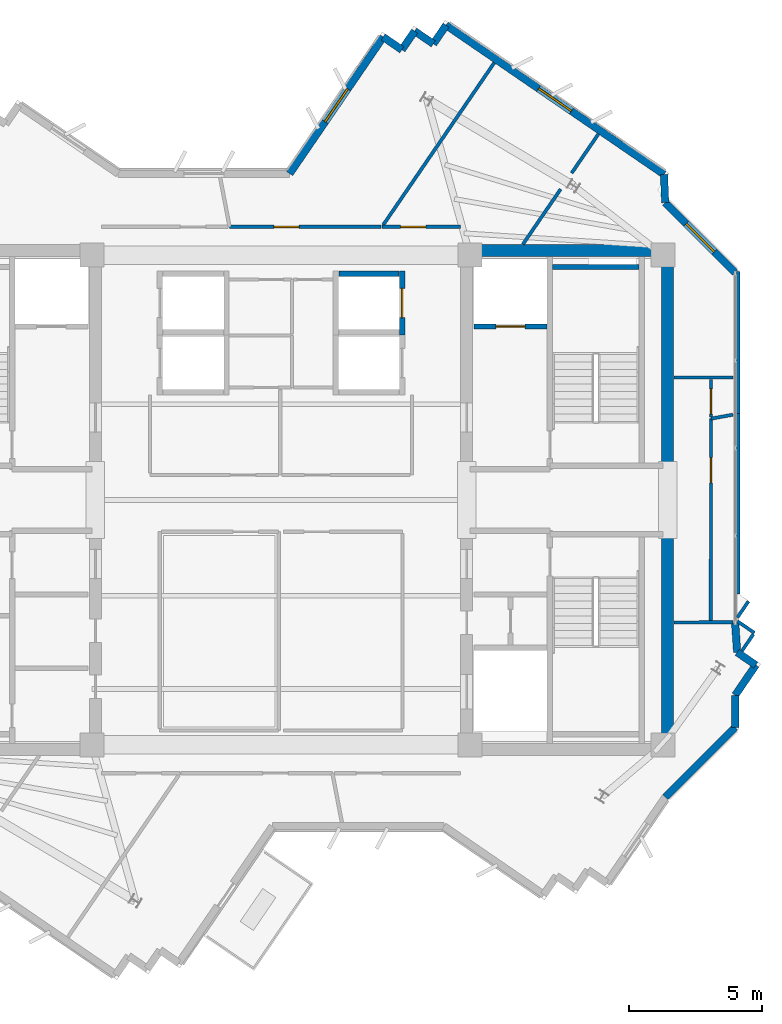
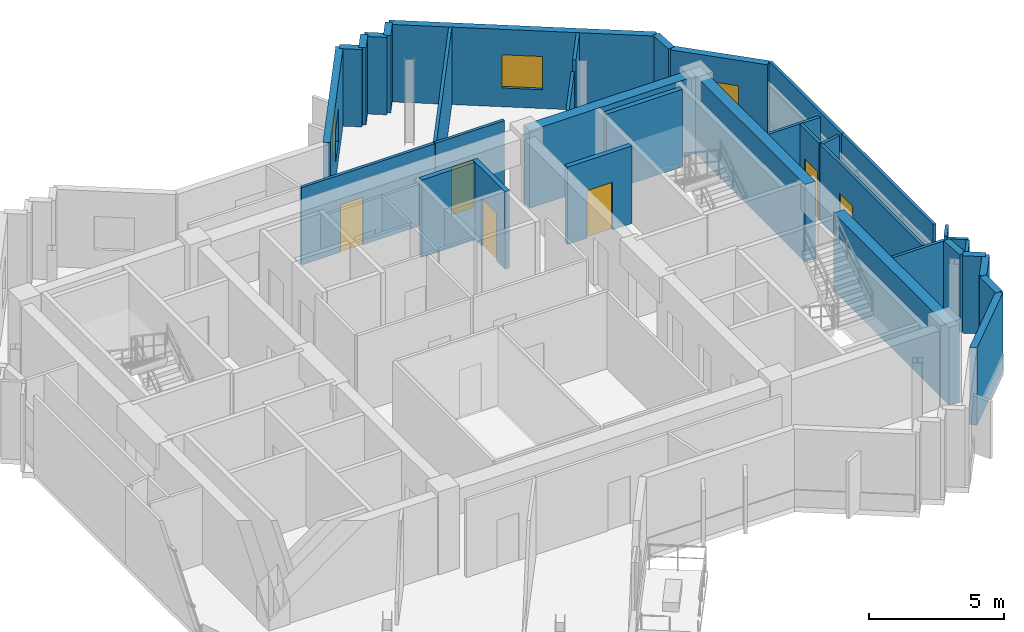
# One storey, part 8 of 11: 35 walls, 6 doors, 3 windows, 9 openings.
"""IFC4 building model written with IfcOpenShell, lengths in metres."""

import ifcopenshell
import ifcopenshell.guid

model = None  # the IFC model being written
_history = None  # IfcOwnerHistory: only IFC2X3 demands one
_inside = {}  # id of a spatial element -> (the spatial element, [elements in it])
_under = {}  # id of a project, library or spatial element -> (it, [spatial elements below it])
_declared = {}  # id of a project -> (the project, [libraries it declares])
_typed = {}  # id of a type object -> (the type object, [elements of that type])
_made_of = {}  # id of a material, layer set ... -> (it, [elements and type objects made of it])


def new_model(schema):
    """Start an empty IFC model of exactly this schema.

    Asked for "IFC4X3", IfcOpenShell would pick the latest addendum, in which some entities
    have other attributes; the version numbers below select the first issue.
    IFC2X3 requires an IfcOwnerHistory on every rooted entity: one is made here for all.
    """
    global model, _history
    if schema == "IFC4X3":
        model = ifcopenshell.file(schema_version=(4, 3, 0, 0))
    else:
        model = ifcopenshell.file(schema=schema)
    _inside.clear()
    _under.clear()
    _declared.clear()
    _typed.clear()
    _made_of.clear()
    _history = None
    if model.schema == "IFC2X3":
        org = make("IfcOrganization", Name="unknown")
        user = make(
            "IfcPersonAndOrganization",
            ThePerson=make("IfcPerson", FamilyName="unknown"),
            TheOrganization=org,
        )
        app = make(
            "IfcApplication",
            ApplicationDeveloper=org,
            Version="unknown",
            ApplicationFullName="unknown",
            ApplicationIdentifier="unknown",
        )
        _history = make(
            "IfcOwnerHistory",
            OwningUser=user,
            OwningApplication=app,
            ChangeAction="ADDED",
            CreationDate=0,
        )
    return model


def make(cls, **values):
    """One entity of the class cls with the attributes given. An attribute that is None is left unset."""
    return model.create_entity(
        cls, **{name: value for name, value in values.items() if value is not None}
    )


def rooted(cls, **values):
    """An entity with a GlobalId (a new one), such as an element, a storey or a relation."""
    return make(cls, GlobalId=ifcopenshell.guid.new(), OwnerHistory=_history, **values)


def si_unit(unit_type, name, prefix=None):
    """IfcSIUnit, for example si_unit("LENGTHUNIT", "METRE", prefix="MILLI")."""
    return make("IfcSIUnit", UnitType=unit_type, Prefix=prefix, Name=name)


def assignment(units):
    """IfcUnitAssignment: the units of a project."""
    return None if units is None else make("IfcUnitAssignment", Units=units)


def point(xyz):
    """IfcCartesianPoint."""
    return None if xyz is None else make("IfcCartesianPoint", Coordinates=xyz)


def direction(xyz):
    """IfcDirection."""
    return None if xyz is None else make("IfcDirection", DirectionRatios=xyz)


def frame(location, z_axis=None, x_axis=None):
    """IfcAxis2Placement3D, a coordinate frame: its origin and axes. An axis left out is left unset."""
    return make(
        "IfcAxis2Placement3D",
        Location=point(location),
        Axis=direction(z_axis),
        RefDirection=direction(x_axis),
    )


def frame_2d(location, x_axis=None):
    """IfcAxis2Placement2D, a coordinate frame in the plane: its origin and x axis."""
    return make(
        "IfcAxis2Placement2D", Location=point(location), RefDirection=direction(x_axis)
    )


def origin():
    """The frame at (0, 0, 0) with its axes left unset."""
    return frame((0.0, 0.0, 0.0))


def place(relative_to, where):
    """IfcLocalPlacement: puts the frame where relative to a parent placement (None: the world)."""
    return make(
        "IfcLocalPlacement", PlacementRelTo=relative_to, RelativePlacement=where
    )


def context(
    kind, dimensions, precision=None, world=None, true_north=None, identifier=None
):
    """IfcGeometricRepresentationContext, for example the 3D "Model" context."""
    return make(
        "IfcGeometricRepresentationContext",
        ContextIdentifier=identifier,
        ContextType=kind,
        CoordinateSpaceDimension=dimensions,
        Precision=precision,
        WorldCoordinateSystem=world,
        TrueNorth=true_north,
    )


def subcontext(parent, identifier, kind, view, scale=None):
    """IfcGeometricRepresentationSubContext, for example "Body" below "Model"."""
    return make(
        "IfcGeometricRepresentationSubContext",
        ContextIdentifier=identifier,
        ContextType=kind,
        ParentContext=parent,
        TargetScale=scale,
        TargetView=view,
    )


def project(units=None, contexts=None):
    """IfcProject with its units and contexts."""
    return rooted(
        "IfcProject",
        Name="project",
        RepresentationContexts=contexts,
        UnitsInContext=assignment(units),
    )


def spatial(cls, under=None, at=None, **own):
    """A site, building, storey or space (cls), placed at a placement, below another one or the project."""
    s = rooted(cls, ObjectPlacement=at, **own)
    if under is not None:
        _under.setdefault(under.id(), (under, []))[1].append(s)
    return s


def profile(cls, at=None, kind="AREA", **sizes):
    """A parametric profile (cls). Its sizes go by their IFC names, for example OverallWidth=200.0."""
    return make(cls, ProfileType=kind, Position=at, **sizes)


def rectangle(**sizes):
    """IfcRectangleProfileDef."""
    return profile("IfcRectangleProfileDef", **sizes)


def extrude(swept, where, along, depth):
    """IfcExtrudedAreaSolid: the profile swept, set in the frame where, extruded along a direction by depth."""
    return make(
        "IfcExtrudedAreaSolid",
        SweptArea=swept,
        Position=where,
        ExtrudedDirection=direction(along),
        Depth=depth,
    )


def shape(context_of_items, identifier, shape_type, items):
    """IfcShapeRepresentation: the items that make up one representation, for example the "Body"."""
    return make(
        "IfcShapeRepresentation",
        ContextOfItems=context_of_items,
        RepresentationIdentifier=identifier,
        RepresentationType=shape_type,
        Items=items,
    )


def source(mapping_origin, context_of_items, identifier, shape_type, items):
    """IfcRepresentationMap: a shape defined once, which mapped items show again and again."""
    return make(
        "IfcRepresentationMap",
        MappingOrigin=mapping_origin,
        MappedRepresentation=shape(context_of_items, identifier, shape_type, items),
    )


def transform(
    local_origin,
    x_axis=None,
    y_axis=None,
    z_axis=None,
    scale=None,
    scale2=None,
    scale3=None,
    uniform=True,
):
    """IfcCartesianTransformationOperator3D, or its non-uniform kind. x_axis, y_axis, z_axis: its Axis1, 2, 3."""
    if uniform:
        return make(
            "IfcCartesianTransformationOperator3D",
            Axis1=direction(x_axis),
            Axis2=direction(y_axis),
            LocalOrigin=point(local_origin),
            Scale=scale,
            Axis3=direction(z_axis),
        )
    return make(
        "IfcCartesianTransformationOperator3DnonUniform",
        Axis1=direction(x_axis),
        Axis2=direction(y_axis),
        LocalOrigin=point(local_origin),
        Scale=scale,
        Axis3=direction(z_axis),
        Scale2=scale2,
        Scale3=scale3,
    )


def mapped(mapping_source, mapping_target):
    """IfcMappedItem: shows the shape of a source again, moved by a transform."""
    return make(
        "IfcMappedItem", MappingSource=mapping_source, MappingTarget=mapping_target
    )


def material(Name=None, Category=None):
    """IfcMaterial."""
    return make("IfcMaterial", Name=Name, Category=Category)


def layer(
    of_material, thickness, ventilated=None, Name=None, Category=None, Priority=None
):
    """IfcMaterialLayer: one layer of a wall or slab, of a material (None: an air gap)."""
    return make(
        "IfcMaterialLayer",
        Material=of_material,
        LayerThickness=thickness,
        IsVentilated=ventilated,
        Name=Name,
        Category=Category,
        Priority=Priority,
    )


def layer_set(layers, Name=None):
    """IfcMaterialLayerSet."""
    return make("IfcMaterialLayerSet", MaterialLayers=layers, LayerSetName=Name)


def made_of(thing, what):
    """Note that an element or type object is made of a material, layer set ...; save() writes the relation."""
    if what is not None:
        _made_of.setdefault(what.id(), (what, []))[1].append(thing)
    return thing


def type_object(cls, material=None, **own):
    """A type object (cls), such as IfcWallType, which elements share."""
    return made_of(rooted(cls, **own), material)


def element(
    cls,
    number,
    at=None,
    inside=None,
    cuts=None,
    type_object=None,
    material=None,
    context=None,
    identifier="Body",
    shape_type=None,
    held_by="IfcProductDefinitionShape",
    body=None,
    shapes=None,
    **own,
):
    """One element of the class cls, such as IfcWall. Its Tag is "e" and its number.

    at: its placement. inside: the storey or other place that contains it. cuts: it is an
    opening in that element (IfcRelVoidsElement). A single representation is given by context,
    identifier, shape_type and body (its items); several are given by shapes. held_by: the class
    of the entity that holds the representations. save() writes the other relations.
    """
    e = rooted(cls, Tag="e%d" % number, ObjectPlacement=at, **own)
    if body is not None:
        shapes = [shape(context, identifier, shape_type, body)]
    if shapes is not None:
        e.Representation = make(held_by, Representations=shapes)
    if inside is not None:
        _inside.setdefault(inside.id(), (inside, []))[1].append(e)
    if cuts is not None:
        rooted(
            "IfcRelVoidsElement", RelatingBuildingElement=cuts, RelatedOpeningElement=e
        )
    if type_object is not None:
        _typed.setdefault(type_object.id(), (type_object, []))[1].append(e)
    return made_of(e, material)


def fill(opening, filler):
    """IfcRelFillsElement: the door or window that sits in an opening."""
    return rooted(
        "IfcRelFillsElement",
        RelatingOpeningElement=opening,
        RelatedBuildingElement=filler,
    )


def aggregate(whole, parts):
    """IfcRelAggregates: a whole, such as a stair, and the parts it consists of."""
    return rooted("IfcRelAggregates", RelatingObject=whole, RelatedObjects=parts)


def save(model, path):
    """Write the relations noted so far, then the file.

    IfcRelAggregates (storeys below a building ...), IfcRelContainedInSpatialStructure (elements
    in a storey), IfcRelDefinesByType, IfcRelAssociatesMaterial and IfcRelDeclares: one each for
    every whole, place, type object, material and project.
    """
    for whole, parts in _under.values():
        aggregate(whole, parts)
    for where, things in _inside.values():
        rooted(
            "IfcRelContainedInSpatialStructure",
            RelatedElements=things,
            RelatingStructure=where,
        )
    for kind, things in _typed.values():
        rooted("IfcRelDefinesByType", RelatedObjects=things, RelatingType=kind)
    for what, things in _made_of.values():
        rooted("IfcRelAssociatesMaterial", RelatedObjects=things, RelatingMaterial=what)
    for by, libraries in _declared.values():
        rooted("IfcRelDeclares", RelatingContext=by, RelatedDefinitions=libraries)
    model.write(path)


model = new_model("IFC4")

# Units and contexts
model_context = context("Model", 3, precision=1e-05, world=origin(), true_north=direction((0.0, 1.0)))
body_context = subcontext(model_context, "Body", "Model", "MODEL_VIEW")
ifc_project = project(units=[si_unit("LENGTHUNIT", "METRE"), si_unit("AREAUNIT", "SQUARE_METRE"), si_unit("VOLUMEUNIT", "CUBIC_METRE"), si_unit("PLANEANGLEUNIT", "RADIAN"), si_unit("MASSUNIT", "GRAM", prefix="KILO")], contexts=[model_context])

# Site, building, storey
site_placement = place(None, origin())
site = spatial("IfcSite", under=ifc_project, at=site_placement, CompositionType="ELEMENT")
building_placement = place(site_placement, origin())
building = spatial("IfcBuilding", under=site, at=building_placement, Name="Zahravan Cultural Tower", CompositionType="ELEMENT")
storey_placement = place(building_placement, frame((0.0, 0.0, 334.800048828125)))
storey = spatial("IfcBuildingStorey", under=building, at=storey_placement, Name="L81", CompositionType="ELEMENT", Elevation=334.800048828125)

# Wall, opening, window
ifc_material_1 = material(Name="Precast concrete C40/50", Category="concrete")
ifc_layer_1 = layer(ifc_material_1, 0.280029296875)
ifc_layer_set_1 = layer_set([ifc_layer_1], Name="Precast concrete C40/50")
wall_type_1 = type_object("IfcWallType", Name="EW-TC-280", PredefinedType="SOLIDWALL", material=ifc_layer_set_1)
wall_1_placement = place(storey_placement, frame((36.322998046875, 39.260009765625, 0.0), z_axis=(0.0, 0.0, 1.0), x_axis=(0.564953982519, 0.825122413728, 0.0)))
wall_1 = element("IfcWall", 1, at=wall_1_placement, inside=storey, type_object=wall_type_1, Name="L81 Exterior Masonry Frame Wall 14", PredefinedType="SOLIDWALL", context=body_context, shape_type="SweptSolid", body=[
    extrude(rectangle(XDim=6.221435546875, YDim=0.280029296875, at=frame_2d((3.11083984375, 0.0))), origin(), (0.0, 0.0, 1.0), 3.5),
])
opening_1_placement = place(wall_1_placement, frame((2.361083984375, 0.0, 0.85009765625)))
opening_1 = element("IfcOpeningElement", 2, at=opening_1_placement, cuts=wall_1, Name="Opening WN-03", PredefinedType="OPENING", context=body_context, shape_type="SweptSolid", body=[
    extrude(rectangle(XDim=1.5, YDim=1.5, at=frame_2d((0.75, 0.75))), frame((0.0, 0.14990234375, 0.0), z_axis=(0.0, -1.0, 0.0), x_axis=(1.0, 0.0, 0.0)), (0.0, 0.0, 1.0), 0.300048828125),
])
ifc_material_2 = material(Name="Low-E solar-control double glazing", Category="glass")
window_type = type_object("IfcWindowType", Name="WN-REC-1500X1500", PartitioningType="SINGLE_PANEL", PredefinedType="WINDOW", material=ifc_material_2)
shared_shape_1 = source(origin(), body_context, "Body", "SweptSolid", [
    extrude(rectangle(XDim=1.5, YDim=1.5, at=frame_2d((0.75, 0.75))), frame((0.0, 0.030029296875, 0.0), z_axis=(0.0, -1.0, 0.0), x_axis=(1.0, 0.0, 0.0)), (0.0, 0.0, 1.0), 0.06005859375),
])
window_1_placement = place(opening_1_placement, origin())
window_1 = element("IfcWindow", 3, at=window_1_placement, inside=storey, type_object=window_type, Name="L81 Recessed Solar Window 05", OverallHeight=1.5, OverallWidth=1.5, PartitioningType="SINGLE_PANEL", PredefinedType="WINDOW", context=body_context, shape_type="MappedRepresentation", body=[
    mapped(shared_shape_1, transform((0.0, 0.0, 0.0), x_axis=(1.0, 0.0, 0.0), y_axis=(0.0, 1.0, 0.0), z_axis=(0.0, 0.0, 1.0), scale=1.0)),
])
fill(opening_1, window_1)

wall_2_placement = place(storey_placement, frame((42.201171875, 44.835693359375, 0.0), z_axis=(0.0, 0.0, 1.0), x_axis=(0.825121888295, -0.56495474992, 0.0)))
wall_2 = element("IfcWall", 4, at=wall_2_placement, inside=storey, type_object=wall_type_1, Name="L81 Exterior Masonry Frame Wall 19", PredefinedType="SOLIDWALL", context=body_context, shape_type="SweptSolid", body=[
    extrude(rectangle(XDim=9.919921875, YDim=0.280029296875, at=frame_2d((4.9599609375, 0.0))), origin(), (0.0, 0.0, 1.0), 3.5),
])
opening_2_placement = place(wall_2_placement, frame((4.2099609375, 0.0, 0.85009765625)))
opening_2 = element("IfcOpeningElement", 5, at=opening_2_placement, cuts=wall_2, Name="Opening WN-03", PredefinedType="OPENING", context=body_context, shape_type="SweptSolid", body=[
    extrude(rectangle(XDim=1.5, YDim=1.5, at=frame_2d((0.75, 0.75))), frame((0.0, 0.14990234375, 0.0), z_axis=(0.0, -1.0, 0.0), x_axis=(1.0, 0.0, 0.0)), (0.0, 0.0, 1.0), 0.300048828125),
])
window_2_placement = place(opening_2_placement, origin())
window_2 = element("IfcWindow", 6, at=window_2_placement, inside=storey, type_object=window_type, Name="L81 Recessed Solar Window 06", OverallHeight=1.5, OverallWidth=1.5, PartitioningType="SINGLE_PANEL", PredefinedType="WINDOW", context=body_context, shape_type="MappedRepresentation", body=[
    mapped(shared_shape_1, transform((0.0, 0.0, 0.0), x_axis=(1.0, 0.0, 0.0), y_axis=(0.0, 1.0, 0.0), z_axis=(0.0, 0.0, 1.0), scale=1.0)),
])
fill(opening_2, window_2)

wall_3_placement = place(storey_placement, frame((50.432373046875, 38.169677734375, 0.0), z_axis=(0.0, 0.0, 1.0), x_axis=(0.707106781187, -0.707106781187, 0.0)))
wall_3 = element("IfcWall", 7, at=wall_3_placement, inside=storey, type_object=wall_type_1, Name="L81 Exterior Masonry Frame Wall 21", PredefinedType="SOLIDWALL", context=body_context, shape_type="SweptSolid", body=[
    extrude(rectangle(XDim=3.716064453125, YDim=0.280029296875, at=frame_2d((1.85791015625, 0.0))), origin(), (0.0, 0.0, 1.0), 3.5),
])
opening_3_placement = place(wall_3_placement, frame((1.10791015625, 0.0, 0.85009765625)))
opening_3 = element("IfcOpeningElement", 8, at=opening_3_placement, cuts=wall_3, Name="Opening WN-03", PredefinedType="OPENING", context=body_context, shape_type="SweptSolid", body=[
    extrude(rectangle(XDim=1.5, YDim=1.5, at=frame_2d((0.75, 0.75))), frame((0.0, 0.14990234375, 0.0), z_axis=(0.0, -1.0, 0.0), x_axis=(1.0, 0.0, 0.0)), (0.0, 0.0, 1.0), 0.300048828125),
])
window_3_placement = place(opening_3_placement, origin())
window_3 = element("IfcWindow", 9, at=window_3_placement, inside=storey, type_object=window_type, Name="L81 Recessed Solar Window 07", OverallHeight=1.5, OverallWidth=1.5, PartitioningType="SINGLE_PANEL", PredefinedType="WINDOW", context=body_context, shape_type="MappedRepresentation", body=[
    mapped(shared_shape_1, transform((0.0, 0.0, 0.0), x_axis=(1.0, 0.0, 0.0), y_axis=(0.0, 1.0, 0.0), z_axis=(0.0, 0.0, 1.0), scale=1.0)),
])
fill(opening_3, window_3)

# Wall, opening, door
ifc_material_3 = material(Name="Gypsum plasterboard partition")
ifc_layer_2 = layer(ifc_material_3, 0.125)
ifc_layer_set_2 = layer_set([ifc_layer_2], Name="Gypsum plasterboard partition")
wall_type_2 = type_object("IfcWallType", Name="W-PART-125", PredefinedType="PARTITIONING", material=ifc_layer_set_2)
wall_4_placement = place(storey_placement, frame((52.1474609375, 22.469970703125, 0.0), z_axis=(0.0, 0.0, 1.0), x_axis=(0.000321874581, 0.999999948198, 0.0)))
wall_4 = element("IfcWall", 10, at=wall_4_placement, inside=storey, type_object=wall_type_2, Name="L81 Interior Wall 056", PredefinedType="PARTITIONING", context=body_context, shape_type="SweptSolid", body=[
    extrude(rectangle(XDim=7.5849609375, YDim=0.125, at=frame_2d((3.79248046875, 0.0))), origin(), (0.0, 0.0, 1.0), 3.5),
])
opening_4_placement = place(wall_4_placement, frame((5.17529296875, 0.0, 0.0)))
opening_4 = element("IfcOpeningElement", 11, at=opening_4_placement, cuts=wall_4, Name="Opening D-L81-29", PredefinedType="OPENING", context=body_context, shape_type="SweptSolid", body=[
    extrude(rectangle(XDim=0.949951171875, YDim=2.14990234375, at=frame_2d((0.47509765625, 1.074951171875))), frame((0.0, 0.072509765625, 0.0), z_axis=(0.0, -1.0, 0.0), x_axis=(1.0, 0.0, 0.0)), (0.0, 0.0, 1.0), 0.14501953125),
])
ifc_material_4 = material(Name="Anodised bronze-aluminium mullion", Category="aluminium")
door_type_1 = type_object("IfcDoorType", Name="DR-ROOM-950", OperationType="NOTDEFINED", PredefinedType="DOOR", material=ifc_material_4)
shared_shape_2 = source(origin(), body_context, "Body", "SweptSolid", [
    extrude(rectangle(XDim=0.949951171875, YDim=2.14990234375, at=frame_2d((0.47509765625, 1.074951171875))), frame((0.0, 0.02490234375, 0.0), z_axis=(0.0, -1.0, 0.0), x_axis=(1.0, 0.0, 0.0)), (0.0, 0.0, 1.0), 0.050048828125),
])
door_1_placement = place(opening_4_placement, origin())
door_1 = element("IfcDoor", 12, at=door_1_placement, inside=storey, type_object=door_type_1, Name="L81 Door D-L81-29", OperationType="SINGLE_SWING_RIGHT", OverallHeight=2.14990234375, OverallWidth=0.949951171875, PredefinedType="DOOR", context=body_context, shape_type="MappedRepresentation", body=[
    mapped(shared_shape_2, transform((0.0, 0.0, 0.0), x_axis=(1.0, 0.0, 0.0), y_axis=(0.0, 1.0, 0.0), z_axis=(0.0, 0.0, 1.0), scale=1.0)),
])
fill(opening_4, door_1)

wall_5_placement = place(storey_placement, frame((52.14990234375, 30.12353515625, 0.0), z_axis=(0.0, 0.0, 1.0), x_axis=(-0.000520201074, 0.999999864695, 0.0)))
wall_5 = element("IfcWall", 13, at=wall_5_placement, inside=storey, type_object=wall_type_2, Name="L81 Interior Wall 078", PredefinedType="PARTITIONING", context=body_context, shape_type="SweptSolid", body=[
    extrude(rectangle(XDim=1.407958984375, YDim=0.125, at=frame_2d((0.7041015625, 0.0))), origin(), (0.0, 0.0, 1.0), 3.5),
])
opening_5_placement = place(wall_5_placement, frame((0.100830078125, 0.0, 0.0)))
opening_5 = element("IfcOpeningElement", 14, at=opening_5_placement, cuts=wall_5, Name="Opening D-L81-20", PredefinedType="OPENING", context=body_context, shape_type="SweptSolid", body=[
    extrude(rectangle(XDim=0.949951171875, YDim=2.14990234375, at=frame_2d((0.47509765625, 1.074951171875))), frame((0.0, 0.072509765625, 0.0), z_axis=(0.0, -1.0, 0.0), x_axis=(1.0, 0.0, 0.0)), (0.0, 0.0, 1.0), 0.14501953125),
])
door_2_placement = place(opening_5_placement, origin())
door_2 = element("IfcDoor", 15, at=door_2_placement, inside=storey, type_object=door_type_1, Name="L81 Door D-L81-20", OperationType="SINGLE_SWING_LEFT", OverallHeight=2.14990234375, OverallWidth=0.949951171875, PredefinedType="DOOR", context=body_context, shape_type="MappedRepresentation", body=[
    mapped(shared_shape_2, transform((0.0, 0.0, 0.0), x_axis=(1.0, 0.0, 0.0), y_axis=(0.0, 1.0, 0.0), z_axis=(0.0, 0.0, 1.0), scale=1.0)),
])
fill(opening_5, door_2)

wall_6_placement = place(storey_placement, frame((42.742431640625, 37.259765625, 0.0), z_axis=(0.0, 0.0, 1.0), x_axis=(-0.999999996583, 8.2671957e-05, 0.0)))
wall_6 = element("IfcWall", 16, at=wall_6_placement, inside=storey, type_object=wall_type_2, Name="L81 Interior Wall 079", PredefinedType="PARTITIONING", context=body_context, shape_type="SweptSolid", body=[
    extrude(rectangle(XDim=2.953125, YDim=0.125, at=frame_2d((1.4765625, 0.0))), origin(), (0.0, 0.0, 1.0), 3.5),
])
opening_6_placement = place(wall_6_placement, frame((1.302001953125, 0.0, 0.0)))
opening_6 = element("IfcOpeningElement", 17, at=opening_6_placement, cuts=wall_6, Name="Opening D-L81-21", PredefinedType="OPENING", context=body_context, shape_type="SweptSolid", body=[
    extrude(rectangle(XDim=0.949951171875, YDim=2.14990234375, at=frame_2d((0.47509765625, 1.074951171875))), frame((0.0, 0.072509765625, 0.0), z_axis=(0.0, -1.0, 0.0), x_axis=(1.0, 0.0, 0.0)), (0.0, 0.0, 1.0), 0.14501953125),
])
door_3_placement = place(opening_6_placement, origin())
door_3 = element("IfcDoor", 18, at=door_3_placement, inside=storey, type_object=door_type_1, Name="L81 Door D-L81-21", OperationType="SINGLE_SWING_RIGHT", OverallHeight=2.14990234375, OverallWidth=0.949951171875, PredefinedType="DOOR", context=body_context, shape_type="MappedRepresentation", body=[
    mapped(shared_shape_2, transform((0.0, 0.0, 0.0), x_axis=(1.0, 0.0, 0.0), y_axis=(0.0, 1.0, 0.0), z_axis=(0.0, 0.0, 1.0), scale=1.0)),
])
fill(opening_6, door_3)

wall_7_placement = place(storey_placement, frame((39.764892578125, 37.260009765625, 0.0), z_axis=(0.0, 0.0, 1.0), x_axis=(-1.0, 0.0, 0.0)))
wall_7 = element("IfcWall", 19, at=wall_7_placement, inside=storey, type_object=wall_type_2, Name="L81 Interior Wall 090", PredefinedType="PARTITIONING", context=body_context, shape_type="SweptSolid", body=[
    extrude(rectangle(XDim=5.696044921875, YDim=0.125, at=frame_2d((2.84814453125, 0.0))), origin(), (0.0, 0.0, 1.0), 3.5),
])
opening_7_placement = place(wall_7_placement, frame((3.0849609375, 0.0, 0.0)))
opening_7 = element("IfcOpeningElement", 20, at=opening_7_placement, cuts=wall_7, Name="Opening D-L81-22", PredefinedType="OPENING", context=body_context, shape_type="SweptSolid", body=[
    extrude(rectangle(XDim=0.949951171875, YDim=2.14990234375, at=frame_2d((0.47509765625, 1.074951171875))), frame((0.0, 0.072509765625, 0.0), z_axis=(0.0, -1.0, 0.0), x_axis=(1.0, 0.0, 0.0)), (0.0, 0.0, 1.0), 0.14501953125),
])
door_4_placement = place(opening_7_placement, origin())
door_4 = element("IfcDoor", 21, at=door_4_placement, inside=storey, type_object=door_type_1, Name="L81 Door D-L81-22", OperationType="SINGLE_SWING_LEFT", OverallHeight=2.14990234375, OverallWidth=0.949951171875, PredefinedType="DOOR", context=body_context, shape_type="MappedRepresentation", body=[
    mapped(shared_shape_2, transform((0.0, 0.0, 0.0), x_axis=(1.0, 0.0, 0.0), y_axis=(0.0, 1.0, 0.0), z_axis=(0.0, 0.0, 1.0), scale=1.0)),
])
fill(opening_7, door_4)

ifc_material_5 = material(Name="Concrete C45/55", Category="concrete")
ifc_layer_3 = layer(ifc_material_5, 0.199951171875)
ifc_layer_set_3 = layer_set([ifc_layer_3], Name="Concrete C45/55")
wall_type_3 = type_object("IfcWallType", Name="W-SHAFT-200", PredefinedType="SOLIDWALL", material=ifc_layer_set_3)
wall_8_placement = place(storey_placement, frame((43.25, 33.52001953125, 0.0), z_axis=(0.0, 0.0, 1.0), x_axis=(1.0, 0.0, 0.0)))
wall_8 = element("IfcWall", 22, at=wall_8_placement, inside=storey, type_object=wall_type_3, Name="L81 Interior Wall 023", PredefinedType="SOLIDWALL", context=body_context, shape_type="SweptSolid", body=[
    extrude(rectangle(XDim=2.75, YDim=0.199951171875, at=frame_2d((1.375, 0.0))), origin(), (0.0, 0.0, 1.0), 3.5),
])
opening_8_placement = place(wall_8_placement, frame((0.820068359375, 0.0, 0.0)))
opening_8 = element("IfcOpeningElement", 23, at=opening_8_placement, cuts=wall_8, Name="Opening LD-L81-02", PredefinedType="OPENING", context=body_context, shape_type="SweptSolid", body=[
    extrude(rectangle(XDim=1.10009765625, YDim=2.14990234375, at=frame_2d((0.550048828125, 1.074951171875))), frame((0.0, 0.10986328125, 0.0), z_axis=(0.0, -1.0, 0.0), x_axis=(1.0, 0.0, 0.0)), (0.0, 0.0, 1.0), 0.219970703125),
])
ifc_material_6 = material(Name="Steel ASTM A572 Grade 50", Category="steel")
door_type_2 = type_object("IfcDoorType", Name="DR-LIFT-1100", OperationType="DOUBLE_DOOR_SLIDING", PredefinedType="DOOR", material=ifc_material_6)
shared_shape_3 = source(origin(), body_context, "Body", "SweptSolid", [
    extrude(rectangle(XDim=1.10009765625, YDim=2.14990234375, at=frame_2d((0.550048828125, 1.074951171875))), frame((0.0, 0.02490234375, 0.0), z_axis=(0.0, -1.0, 0.0), x_axis=(1.0, 0.0, 0.0)), (0.0, 0.0, 1.0), 0.050048828125),
])
door_5_placement = place(opening_8_placement, origin())
door_5 = element("IfcDoor", 24, at=door_5_placement, inside=storey, type_object=door_type_2, Name="L81 Door LD-L81-02", OperationType="DOUBLE_DOOR_SLIDING", OverallHeight=2.14990234375, OverallWidth=1.10009765625, PredefinedType="DOOR", context=body_context, shape_type="MappedRepresentation", body=[
    mapped(shared_shape_3, transform((0.0, 0.0, 0.0), x_axis=(1.0, 0.0, 0.0), y_axis=(0.0, 1.0, 0.0), z_axis=(0.0, 0.0, 1.0), scale=1.0)),
])
fill(opening_8, door_5)

wall_9_placement = place(storey_placement, frame((40.550048828125, 33.199951171875, 0.0), z_axis=(0.0, 0.0, 1.0), x_axis=(0.0, 1.0, 0.0)))
wall_9 = element("IfcWall", 25, at=wall_9_placement, inside=storey, type_object=wall_type_3, Name="L81 Interior Wall 037", PredefinedType="SOLIDWALL", context=body_context, shape_type="SweptSolid", body=[
    extrude(rectangle(XDim=2.400146484375, YDim=0.199951171875, at=frame_2d((1.2001953125, 0.0))), origin(), (0.0, 0.0, 1.0), 3.5),
])
opening_9_placement = place(wall_9_placement, frame((0.64990234375, 0.0, 0.0)))
opening_9 = element("IfcOpeningElement", 26, at=opening_9_placement, cuts=wall_9, Name="Opening LD-L81-06", PredefinedType="OPENING", context=body_context, shape_type="SweptSolid", body=[
    extrude(rectangle(XDim=1.10009765625, YDim=2.14990234375, at=frame_2d((0.550048828125, 1.074951171875))), frame((0.0, 0.10986328125, 0.0), z_axis=(0.0, -1.0, 0.0), x_axis=(1.0, 0.0, 0.0)), (0.0, 0.0, 1.0), 0.219970703125),
])
door_6_placement = place(opening_9_placement, origin())
door_6 = element("IfcDoor", 27, at=door_6_placement, inside=storey, type_object=door_type_2, Name="L81 Door LD-L81-06", OperationType="DOUBLE_DOOR_SLIDING", OverallHeight=2.14990234375, OverallWidth=1.10009765625, PredefinedType="DOOR", context=body_context, shape_type="MappedRepresentation", body=[
    mapped(shared_shape_3, transform((0.0, 0.0, 0.0), x_axis=(1.0, 0.0, 0.0), y_axis=(0.0, 1.0, 0.0), z_axis=(0.0, 0.0, 1.0), scale=1.0)),
])
fill(opening_9, door_6)

# Walls
ifc_material_7 = material(Name="Concrete C50/60", Category="concrete")
ifc_layer_4 = layer(ifc_material_7, 0.449951171875)
ifc_layer_set_4 = layer_set([ifc_layer_4], Name="Concrete C50/60")
wall_type_4 = type_object("IfcWallType", Name="CW-SHEAR-450-C50", PredefinedType="SHEAR", material=ifc_layer_set_4)
shared_shape_4 = source(origin(), body_context, "Body", "SweptSolid", [
    extrude(rectangle(XDim=8.550048828125, YDim=0.449951171875, at=frame_2d((4.27490234375, 0.0))), origin(), (0.0, 0.0, 1.0), 3.5),
])
for number, where, z_axis, x_axis, name in (
    (28, (50.52490234375, 17.39990234375, 0.0), (0.0, 0.0, 1.0), (0.0, 1.0, 0.0), "L81 Core Shear Wall CW-E-ES-L81"),
    (29, (50.52490234375, 28.050048828125, 0.0), (0.0, 0.0, 1.0), (0.0, 1.0, 0.0), "L81 Core Shear Wall CW-E-EN-L81"),
):
    element("IfcWall", number, at=place(storey_placement, frame(where, z_axis=z_axis, x_axis=x_axis)), inside=storey, type_object=wall_type_4, Name=name, PredefinedType="SHEAR", context=body_context, shape_type="MappedRepresentation", body=[
        mapped(shared_shape_4, transform((0.0, 0.0, 0.0), x_axis=(1.0, 0.0, 0.0), y_axis=(0.0, 1.0, 0.0), z_axis=(0.0, 0.0, 1.0), scale=1.0)),
    ])
shared_shape_5 = source(origin(), body_context, "Body", "SweptSolid", [
    extrude(rectangle(XDim=7.10009765625, YDim=0.449951171875, at=frame_2d((3.550048828125, 0.0))), origin(), (0.0, 0.0, 1.0), 3.5),
])
wall_10_placement = place(storey_placement, frame((43.199951171875, 36.375, 0.0), z_axis=(0.0, 0.0, 1.0), x_axis=(1.0, 0.0, 0.0)))
element("IfcWall", 30, at=wall_10_placement, inside=storey, type_object=wall_type_4, Name="L81 Core Shear Wall CW-E-N-L81", PredefinedType="SHEAR", context=body_context, shape_type="MappedRepresentation", body=[
    mapped(shared_shape_5, transform((0.0, 0.0, 0.0), x_axis=(1.0, 0.0, 0.0), y_axis=(0.0, 1.0, 0.0), z_axis=(0.0, 0.0, 1.0), scale=1.0)),
])
shared_shape_6 = source(origin(), body_context, "Body", "SweptSolid", [
    extrude(rectangle(XDim=0.85009765625, YDim=0.280029296875, at=frame_2d((0.425048828125, 0.0))), origin(), (0.0, 0.0, 1.0), 3.5),
])
for number, where, z_axis, x_axis, name in (
    (31, (39.837890625, 44.3935546875, 0.0), (0.0, 0.0, 1.0), (0.825138153006, -0.564930994418, 0.0), "L81 Exterior Masonry Frame Wall 15"),
    (32, (40.539306640625, 43.913330078125, 0.0), (0.0, 0.0, 1.0), (0.564930994418, 0.825138153006, 0.0), "L81 Exterior Masonry Frame Wall 16"),
    (33, (41.01953125, 44.61474609375, 0.0), (0.0, 0.0, 1.0), (0.825138153006, -0.564930994418, 0.0), "L81 Exterior Masonry Frame Wall 17"),
):
    element("IfcWall", number, at=place(storey_placement, frame(where, z_axis=z_axis, x_axis=x_axis)), inside=storey, type_object=wall_type_1, Name=name, PredefinedType="SOLIDWALL", context=body_context, shape_type="MappedRepresentation", body=[
        mapped(shared_shape_6, transform((0.0, 0.0, 0.0), x_axis=(1.0, 0.0, 0.0), y_axis=(0.0, 1.0, 0.0), z_axis=(0.0, 0.0, 1.0), scale=1.0)),
    ])
shared_shape_7 = source(origin(), body_context, "Body", "SweptSolid", [
    extrude(rectangle(XDim=0.849853515625, YDim=0.280029296875, at=frame_2d((0.4248046875, 0.0))), origin(), (0.0, 0.0, 1.0), 3.5),
])
for number, where, z_axis, x_axis, name in (
    (34, (41.720947265625, 44.134521484375, 0.0), (0.0, 0.0, 1.0), (0.565064897913, 0.825046459993, 0.0), "L81 Exterior Masonry Frame Wall 18"),
    (35, (53.134521484375, 21.279052734375, 0.0), (0.0, 0.0, 1.0), (0.825046459993, -0.565064897913, 0.0), "L81 Exterior Masonry Frame Wall 23"),
):
    element("IfcWall", number, at=place(storey_placement, frame(where, z_axis=z_axis, x_axis=x_axis)), inside=storey, type_object=wall_type_1, Name=name, PredefinedType="SOLIDWALL", context=body_context, shape_type="MappedRepresentation", body=[
        mapped(shared_shape_7, transform((0.0, 0.0, 0.0), x_axis=(1.0, 0.0, 0.0), y_axis=(0.0, 1.0, 0.0), z_axis=(0.0, 0.0, 1.0), scale=1.0)),
    ])
shared_shape_8 = source(origin(), body_context, "Body", "SweptSolid", [
    extrude(rectangle(XDim=1.08349609375, YDim=0.280029296875, at=frame_2d((0.541748046875, 0.0))), origin(), (0.0, 0.0, 1.0), 3.5),
])
wall_11_placement = place(storey_placement, frame((53.06005859375, 22.360107421875, 0.0), z_axis=(0.0, 0.0, 1.0), x_axis=(0.068717036618, -0.997636190642, 0.0)))
element("IfcWall", 36, at=wall_11_placement, inside=storey, type_object=wall_type_1, Name="L81 Exterior Masonry Frame Wall 22", PredefinedType="SOLIDWALL", context=body_context, shape_type="MappedRepresentation", body=[
    mapped(shared_shape_8, transform((0.0, 0.0, 0.0), x_axis=(1.0, 0.0, 0.0), y_axis=(0.0, 1.0, 0.0), z_axis=(0.0, 0.0, 1.0), scale=1.0)),
])
shared_shape_9 = source(origin(), body_context, "Body", "SweptSolid", [
    extrude(rectangle(XDim=1.373046875, YDim=0.280029296875, at=frame_2d((0.6865234375, 0.0))), origin(), (0.0, 0.0, 1.0), 3.5),
])
wall_12_placement = place(storey_placement, frame((53.835693359375, 20.798828125, 0.0), z_axis=(0.0, 0.0, 1.0), x_axis=(-0.564875120833, -0.825176404088, 0.0)))
element("IfcWall", 37, at=wall_12_placement, inside=storey, type_object=wall_type_1, Name="L81 Exterior Masonry Frame Wall 24", PredefinedType="SOLIDWALL", context=body_context, shape_type="MappedRepresentation", body=[
    mapped(shared_shape_9, transform((0.0, 0.0, 0.0), x_axis=(1.0, 0.0, 0.0), y_axis=(0.0, 1.0, 0.0), z_axis=(0.0, 0.0, 1.0), scale=1.0)),
])
shared_shape_10 = source(origin(), body_context, "Body", "SweptSolid", [
    extrude(rectangle(XDim=1.207763671875, YDim=0.280029296875, at=frame_2d((0.60400390625, 0.0))), origin(), (0.0, 0.0, 1.0), 3.5),
])
wall_13_placement = place(storey_placement, frame((53.06005859375, 19.665771484375, 0.0), z_axis=(0.0, 0.0, 1.0), x_axis=(0.0, -1.0, 0.0)))
element("IfcWall", 38, at=wall_13_placement, inside=storey, type_object=wall_type_1, Name="L81 Exterior Masonry Frame Wall 25", PredefinedType="SOLIDWALL", context=body_context, shape_type="MappedRepresentation", body=[
    mapped(shared_shape_10, transform((0.0, 0.0, 0.0), x_axis=(1.0, 0.0, 0.0), y_axis=(0.0, 1.0, 0.0), z_axis=(0.0, 0.0, 1.0), scale=1.0)),
])
shared_shape_11 = source(origin(), body_context, "Body", "SweptSolid", [
    extrude(rectangle(XDim=3.70947265625, YDim=0.280029296875, at=frame_2d((1.854736328125, 0.0))), origin(), (0.0, 0.0, 1.0), 3.5),
])
wall_14_placement = place(storey_placement, frame((53.06005859375, 18.4580078125, 0.0), z_axis=(0.0, 0.0, 1.0), x_axis=(-0.707106781187, -0.707106781187, 0.0)))
element("IfcWall", 39, at=wall_14_placement, inside=storey, type_object=wall_type_1, Name="L81 Exterior Masonry Frame Wall 26", PredefinedType="SOLIDWALL", context=body_context, shape_type="MappedRepresentation", body=[
    mapped(shared_shape_11, transform((0.0, 0.0, 0.0), x_axis=(1.0, 0.0, 0.0), y_axis=(0.0, 1.0, 0.0), z_axis=(0.0, 0.0, 1.0), scale=1.0)),
])
shared_shape_12 = source(origin(), body_context, "Body", "SweptSolid", [
    extrude(rectangle(XDim=1.062744140625, YDim=0.280029296875, at=frame_2d((0.53125, 0.0))), origin(), (0.0, 0.0, 1.0), 3.5),
])
wall_15_placement = place(storey_placement, frame((50.38623046875, 39.2314453125, 0.0), z_axis=(0.0, 0.0, 1.0), x_axis=(0.043417286211, -0.999057025028, 0.0)))
element("IfcWall", 40, at=wall_15_placement, inside=storey, type_object=wall_type_1, Name="L81 Exterior Masonry Frame Wall 20", PredefinedType="SOLIDWALL", context=body_context, shape_type="MappedRepresentation", body=[
    mapped(shared_shape_12, transform((0.0, 0.0, 0.0), x_axis=(1.0, 0.0, 0.0), y_axis=(0.0, 1.0, 0.0), z_axis=(0.0, 0.0, 1.0), scale=1.0)),
])
shared_shape_13 = source(origin(), body_context, "Body", "SweptSolid", [
    extrude(rectangle(XDim=3.25, YDim=0.199951171875, at=frame_2d((1.625, 0.0))), origin(), (0.0, 0.0, 1.0), 3.5),
])
wall_16_placement = place(storey_placement, frame((46.199951171875, 35.75, 0.0), z_axis=(0.0, 0.0, 1.0), x_axis=(1.0, 0.0, 0.0)))
element("IfcWall", 41, at=wall_16_placement, inside=storey, type_object=wall_type_3, Name="L81 Interior Wall 018", PredefinedType="SOLIDWALL", context=body_context, shape_type="MappedRepresentation", body=[
    mapped(shared_shape_13, transform((0.0, 0.0, 0.0), x_axis=(1.0, 0.0, 0.0), y_axis=(0.0, 1.0, 0.0), z_axis=(0.0, 0.0, 1.0), scale=1.0)),
])
shared_shape_14 = source(origin(), body_context, "Body", "SweptSolid", [
    extrude(rectangle(XDim=2.260009765625, YDim=0.199951171875, at=frame_2d((1.1298828125, 0.0))), origin(), (0.0, 0.0, 1.0), 3.5),
])
wall_17_placement = place(storey_placement, frame((38.169921875, 35.5, 0.0), z_axis=(0.0, 0.0, 1.0), x_axis=(1.0, 0.0, 0.0)))
element("IfcWall", 42, at=wall_17_placement, inside=storey, type_object=wall_type_3, Name="L81 Interior Wall 039", PredefinedType="SOLIDWALL", context=body_context, shape_type="MappedRepresentation", body=[
    mapped(shared_shape_14, transform((0.0, 0.0, 0.0), x_axis=(1.0, 0.0, 0.0), y_axis=(0.0, 1.0, 0.0), z_axis=(0.0, 0.0, 1.0), scale=1.0)),
])
shared_shape_15 = source(origin(), body_context, "Body", "SweptSolid", [
    extrude(rectangle(XDim=2.22265625, YDim=0.125, at=frame_2d((1.111328125, 0.0))), origin(), (0.0, 0.0, 1.0), 3.5),
])
for number, where, z_axis, x_axis, name in (
    (43, (50.7548828125, 22.400146484375, 0.0), (0.0, 0.0, 1.0), (0.999998642665, 0.00164762518, 0.0), "L81 Interior Wall 055"),
    (44, (52.9775390625, 31.598388671875, 0.0), (0.0, 0.0, 1.0), (-0.999999704402, 0.000768892567, 0.0), "L81 Interior Wall 074"),
):
    element("IfcWall", number, at=place(storey_placement, frame(where, z_axis=z_axis, x_axis=x_axis)), inside=storey, type_object=wall_type_2, Name=name, PredefinedType="PARTITIONING", context=body_context, shape_type="MappedRepresentation", body=[
        mapped(shared_shape_15, transform((0.0, 0.0, 0.0), x_axis=(1.0, 0.0, 0.0), y_axis=(0.0, 1.0, 0.0), z_axis=(0.0, 0.0, 1.0), scale=1.0)),
    ])
shared_shape_16 = source(origin(), body_context, "Body", "SweptSolid", [
    extrude(rectangle(XDim=0.8359375, YDim=0.125, at=frame_2d((0.41796875, 0.0))), origin(), (0.0, 0.0, 1.0), 3.5),
])
wall_18_placement = place(storey_placement, frame((52.14990234375, 30.054931640625, 0.0), z_axis=(0.0, 0.0, 1.0), x_axis=(0.983949253333, 0.178448499195, 0.0)))
element("IfcWall", 45, at=wall_18_placement, inside=storey, type_object=wall_type_2, Name="L81 Interior Wall 057", PredefinedType="PARTITIONING", context=body_context, shape_type="MappedRepresentation", body=[
    mapped(shared_shape_16, transform((0.0, 0.0, 0.0), x_axis=(1.0, 0.0, 0.0), y_axis=(0.0, 1.0, 0.0), z_axis=(0.0, 0.0, 1.0), scale=1.0)),
])
shared_shape_17 = source(origin(), body_context, "Body", "SweptSolid", [
    extrude(rectangle(XDim=6.776611328125, YDim=0.125, at=frame_2d((3.38818359375, 0.0))), origin(), (0.0, 0.0, 1.0), 3.5),
])
wall_19_placement = place(storey_placement, frame((53.179931640625, 30.24169921875, 0.0), z_axis=(0.0, 0.0, 1.0), x_axis=(7.2053896e-05, -0.999999997404, 0.0)))
element("IfcWall", 46, at=wall_19_placement, inside=storey, type_object=wall_type_2, Name="L81 Interior Wall 058", PredefinedType="PARTITIONING", context=body_context, shape_type="MappedRepresentation", body=[
    mapped(shared_shape_17, transform((0.0, 0.0, 0.0), x_axis=(1.0, 0.0, 0.0), y_axis=(0.0, 1.0, 0.0), z_axis=(0.0, 0.0, 1.0), scale=1.0)),
])
shared_shape_18 = source(origin(), body_context, "Body", "SweptSolid", [
    extrude(rectangle(XDim=0.738037109375, YDim=0.125, at=frame_2d((0.369140625, 0.0))), origin(), (0.0, 0.0, 1.0), 3.5),
])
wall_20_placement = place(storey_placement, frame((53.560302734375, 23.193115234375, 0.0), z_axis=(0.0, 0.0, 1.0), x_axis=(-0.563069892808, -0.826409278634, 0.0)))
element("IfcWall", 47, at=wall_20_placement, inside=storey, type_object=wall_type_2, Name="L81 Interior Wall 059", PredefinedType="PARTITIONING", context=body_context, shape_type="MappedRepresentation", body=[
    mapped(shared_shape_18, transform((0.0, 0.0, 0.0), x_axis=(1.0, 0.0, 0.0), y_axis=(0.0, 1.0, 0.0), z_axis=(0.0, 0.0, 1.0), scale=1.0)),
])
shared_shape_19 = source(origin(), body_context, "Body", "SweptSolid", [
    extrude(rectangle(XDim=0.7734375, YDim=0.125, at=frame_2d((0.38671875, 0.0))), origin(), (0.0, 0.0, 1.0), 3.5),
])
wall_21_placement = place(storey_placement, frame((53.143310546875, 22.448486328125, 0.0), z_axis=(0.0, 0.0, 1.0), x_axis=(0.825237562889, -0.56478576894, 0.0)))
element("IfcWall", 48, at=wall_21_placement, inside=storey, type_object=wall_type_2, Name="L81 Interior Wall 060", PredefinedType="PARTITIONING", context=body_context, shape_type="MappedRepresentation", body=[
    mapped(shared_shape_19, transform((0.0, 0.0, 0.0), x_axis=(1.0, 0.0, 0.0), y_axis=(0.0, 1.0, 0.0), z_axis=(0.0, 0.0, 1.0), scale=1.0)),
])
shared_shape_20 = source(origin(), body_context, "Body", "SweptSolid", [
    extrude(rectangle(XDim=0.75732421875, YDim=0.125, at=frame_2d((0.378662109375, 0.0))), origin(), (0.0, 0.0, 1.0), 3.5),
])
wall_22_placement = place(storey_placement, frame((53.743408203125, 21.9560546875, 0.0), z_axis=(0.0, 0.0, 1.0), x_axis=(-0.564406554972, -0.825496965896, 0.0)))
element("IfcWall", 49, at=wall_22_placement, inside=storey, type_object=wall_type_2, Name="L81 Interior Wall 061", PredefinedType="PARTITIONING", context=body_context, shape_type="MappedRepresentation", body=[
    mapped(shared_shape_20, transform((0.0, 0.0, 0.0), x_axis=(1.0, 0.0, 0.0), y_axis=(0.0, 1.0, 0.0), z_axis=(0.0, 0.0, 1.0), scale=1.0)),
])
shared_shape_21 = source(origin(), body_context, "Body", "SweptSolid", [
    extrude(rectangle(XDim=2.5107421875, YDim=0.125, at=frame_2d((1.25537109375, 0.0))), origin(), (0.0, 0.0, 1.0), 3.5),
])
wall_23_placement = place(storey_placement, frame((45.08544921875, 36.60498046875, 0.0), z_axis=(0.0, 0.0, 1.0), x_axis=(0.564980194272, 0.825104466162, 0.0)))
element("IfcWall", 50, at=wall_23_placement, inside=storey, type_object=wall_type_2, Name="L81 Interior Wall 075", PredefinedType="PARTITIONING", context=body_context, shape_type="MappedRepresentation", body=[
    mapped(shared_shape_21, transform((0.0, 0.0, 0.0), x_axis=(1.0, 0.0, 0.0), y_axis=(0.0, 1.0, 0.0), z_axis=(0.0, 0.0, 1.0), scale=1.0)),
])
shared_shape_22 = source(origin(), body_context, "Body", "SweptSolid", [
    extrude(rectangle(XDim=1.775146484375, YDim=0.125, at=frame_2d((0.8876953125, 0.0))), origin(), (0.0, 0.0, 1.0), 3.5),
])
wall_24_placement = place(storey_placement, frame((46.916748046875, 39.27978515625, 0.0), z_axis=(0.0, 0.0, 1.0), x_axis=(0.56509798207, 0.825023800057, 0.0)))
element("IfcWall", 51, at=wall_24_placement, inside=storey, type_object=wall_type_2, Name="L81 Interior Wall 076", PredefinedType="PARTITIONING", context=body_context, shape_type="MappedRepresentation", body=[
    mapped(shared_shape_22, transform((0.0, 0.0, 0.0), x_axis=(1.0, 0.0, 0.0), y_axis=(0.0, 1.0, 0.0), z_axis=(0.0, 0.0, 1.0), scale=1.0)),
])
shared_shape_23 = source(origin(), body_context, "Body", "SweptSolid", [
    extrude(rectangle(XDim=5.35009765625, YDim=0.125, at=frame_2d((2.675048828125, 0.0))), origin(), (0.0, 0.0, 1.0), 3.5),
])
wall_25_placement = place(storey_placement, frame((53.179931640625, 35.591796875, 0.0), z_axis=(0.0, 0.0, 1.0), x_axis=(0.0, -1.0, 0.0)))
element("IfcWall", 52, at=wall_25_placement, inside=storey, type_object=wall_type_2, Name="L81 Interior Wall 077", PredefinedType="PARTITIONING", context=body_context, shape_type="MappedRepresentation", body=[
    mapped(shared_shape_23, transform((0.0, 0.0, 0.0), x_axis=(1.0, 0.0, 0.0), y_axis=(0.0, 1.0, 0.0), z_axis=(0.0, 0.0, 1.0), scale=1.0)),
])
shared_shape_24 = source(origin(), body_context, "Body", "SweptSolid", [
    extrude(rectangle(XDim=7.386962890625, YDim=0.125, at=frame_2d((3.693359375, 0.0))), origin(), (0.0, 0.0, 1.0), 3.5),
])
wall_26_placement = place(storey_placement, frame((39.83544921875, 37.327392578125, 0.0), z_axis=(0.0, 0.0, 1.0), x_axis=(0.564969427755, 0.8251118383, 0.0)))
element("IfcWall", 53, at=wall_26_placement, inside=storey, type_object=wall_type_2, Name="L81 Interior Wall 080", PredefinedType="PARTITIONING", context=body_context, shape_type="MappedRepresentation", body=[
    mapped(shared_shape_24, transform((0.0, 0.0, 0.0), x_axis=(1.0, 0.0, 0.0), y_axis=(0.0, 1.0, 0.0), z_axis=(0.0, 0.0, 1.0), scale=1.0)),
])

save(model, "model.ifc")
